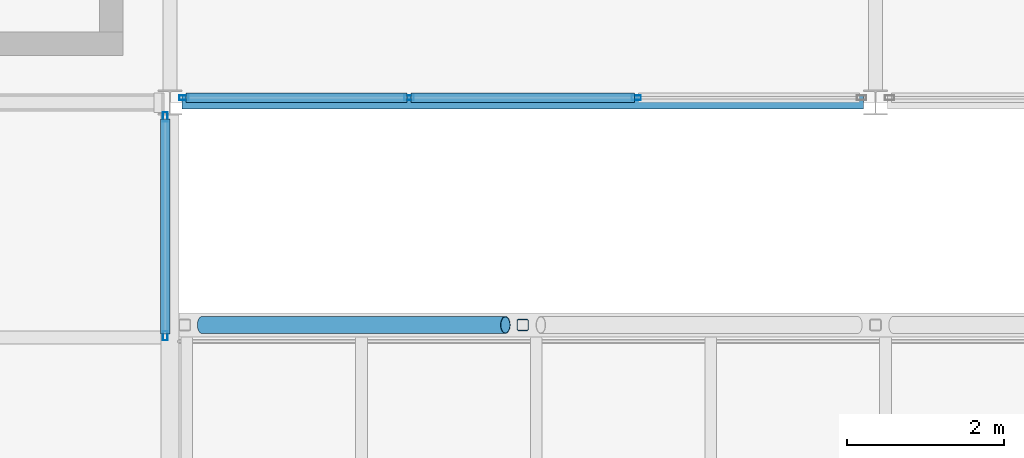
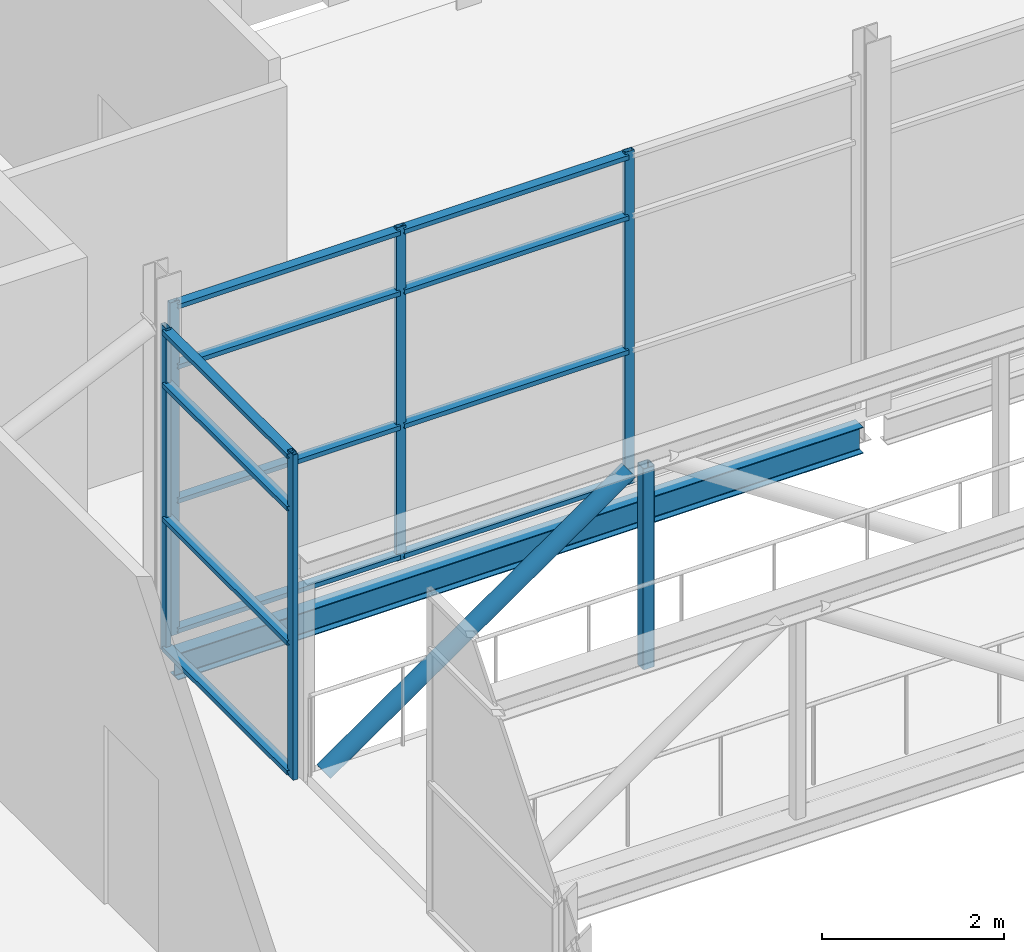
# One storey, part 24 of 94: 19 members, 1 beam, 2 elements without a shape of their own.
"""IFC4 building model written with IfcOpenShell, lengths in metres."""

from ifc_helpers import new_model, si_unit, direction, frame, origin, origin_2d, place, context, subcontext, project, spatial, hollow_rectangle, hollow_circle, i_section, extrude, material, layer, layer_set, material_profile, profile_set, type_object, element, aggregate, save


model = new_model("IFC4")

# Units and contexts
model_context = context("Model", 3, precision=1e-05, world=origin(), true_north=direction((0.0, 1.0)))
body_context = subcontext(model_context, "Body", "Model", "MODEL_VIEW")
ifc_project = project(units=[si_unit("LENGTHUNIT", "METRE"), si_unit("AREAUNIT", "SQUARE_METRE"), si_unit("VOLUMEUNIT", "CUBIC_METRE"), si_unit("PLANEANGLEUNIT", "RADIAN"), si_unit("MASSUNIT", "GRAM", prefix="KILO")], contexts=[model_context])

# Site, building, storey
site_placement = place(None, origin())
site = spatial("IfcSite", under=ifc_project, at=site_placement, CompositionType="ELEMENT")
building_placement = place(site_placement, origin())
building = spatial("IfcBuilding", under=site, at=building_placement, Name="Shorebreak Coast Museum", CompositionType="ELEMENT")
storey_placement = place(building_placement, frame((0.0, 0.0, 31.0)))
storey = spatial("IfcBuildingStorey", under=building, at=storey_placement, Name="L05", CompositionType="ELEMENT", Elevation=31.0)

# Members
ifc_material_1 = material(Name="Steel Grade C350L0", Category="steel")
ifc_material_profile_1 = material_profile(ifc_material_1, hollow_circle(Radius=0.109619140625, WallThickness=0.00830078125, at=origin_2d()), Name="219.1x8.2 CHS")
ifc_profile_set_1 = profile_set([ifc_material_profile_1], Name="Steel Grade C350L0")
member_type_1 = type_object("IfcMemberType", Name="Atrium bridge truss diagonal 219.1x8.2 CHS", PredefinedType="BRACE", material=ifc_profile_set_1)
member_1_placement = place(storey_placement, frame((63.410888671875, 78.16259765625, -0.175048828125), z_axis=(0.820764739415, 0.0, 0.571266349904), x_axis=(0.0, 1.0, 0.0)))
element("IfcMember", 1, at=member_1_placement, inside=storey, type_object=member_type_1, Name="Atrium bridge truss BR3 side B diagonal D01", PredefinedType="BRACE", context=body_context, shape_type="SweptSolid", body=[
    extrude(hollow_circle(Radius=0.109619140625, WallThickness=0.00830078125, at=origin_2d()), origin(), (0.0, 0.0, 1.0), 4.712646484375),
])
ifc_material_2 = material(Name="Steel Grade C450L0", Category="steel")
ifc_material_profile_2 = material_profile(ifc_material_2, hollow_rectangle(XDim=0.14990234375, YDim=0.14990234375, WallThickness=0.009033203125, InnerFilletRadius=0.013427734375, OuterFilletRadius=0.0224609375, at=origin_2d()), Name="150x150x9.0 SHS")
ifc_profile_set_2 = profile_set([ifc_material_profile_2], Name="Steel Grade C450L0")
member_type_2 = type_object("IfcMemberType", Name="Atrium bridge truss strut 150x150x9.0 SHS", PredefinedType="STRUT", material=ifc_profile_set_2)
member_2_placement = place(storey_placement, frame((67.5, 78.16259765625, -0.175048828125), z_axis=(0.0, 0.0, 1.0), x_axis=(1.0, 0.0, 0.0)))
element("IfcMember", 2, at=member_2_placement, inside=storey, type_object=member_type_2, Name="Atrium bridge truss BR3 side B strut V02", PredefinedType="STRUT", context=body_context, shape_type="SweptSolid", body=[
    extrude(hollow_rectangle(XDim=0.14990234375, YDim=0.14990234375, WallThickness=0.009033203125, InnerFilletRadius=0.013427734375, OuterFilletRadius=0.0224609375, at=origin_2d()), origin(), (0.0, 0.0, 1.0), 2.692138671875),
])

# Beam
ifc_material_3 = material(Name="Steel Grade 300", Category="steel")
ifc_material_profile_3 = material_profile(ifc_material_3, i_section(OverallWidth=0.1708984375, OverallDepth=0.355712890625, WebThickness=0.00732421875, FlangeThickness=0.011474609375, FilletRadius=0.011474609375, at=origin_2d()), Name="360UB50.7")
ifc_profile_set_3 = profile_set([ifc_material_profile_3], Name="Steel Grade 300")
beam_type = type_object("IfcBeamType", Name="Floor girder east-west 360UB50.7", PredefinedType="BEAM", material=ifc_profile_set_3)
beam_placement = place(storey_placement, frame((63.153564453125, 81.0, -0.352783203125), z_axis=(1.0, 0.0, 0.0), x_axis=(0.0, 1.0, 0.0)))
element("IfcBeam", 3, at=beam_placement, inside=storey, type_object=beam_type, Name="Floor girder east-west L05 8K", PredefinedType="BEAM", context=body_context, shape_type="SweptSolid", body=[
    extrude(i_section(OverallWidth=0.1708984375, OverallDepth=0.355712890625, WebThickness=0.00732421875, FlangeThickness=0.011474609375, FilletRadius=0.011474609375, at=origin_2d()), origin(), (0.0, 0.0, 1.0), 8.69287109375),
])

# Curtain wall, members
ifc_material_4 = material(Name="Aluminium", Category="aluminium")
ifc_layer = layer(ifc_material_4, 0.1201171875)
ifc_layer_set = layer_set([ifc_layer], Name="Aluminium")
curtain_wall_type = type_object("IfcCurtainWallType", Name="Atrium fire screen", PredefinedType="NOTDEFINED", material=ifc_layer_set)
curtain_wall_1_placement = place(storey_placement, origin())
curtain_wall_1 = element("IfcCurtainWall", 4, at=curtain_wall_1_placement, inside=storey, type_object=curtain_wall_type, Name="Atrium screen L05 N 68", PredefinedType="NOTDEFINED")
ifc_material_5 = material(Name="Aluminium", Category="aluminium")
ifc_material_profile_4 = material_profile(ifc_material_5, hollow_rectangle(XDim=0.06005859375, YDim=0.1201171875, WallThickness=0.00341796875, at=origin_2d()), Name="AL 120x60 RHS")
ifc_profile_set_4 = profile_set([ifc_material_profile_4], Name="Aluminium")
member_type_3 = type_object("IfcMemberType", Name="Screen mullion 50 x 120", PredefinedType="MULLION", material=ifc_profile_set_4)
member_3_placement = place(storey_placement, frame((63.178466796875, 81.06005859375, 0.0), z_axis=(0.0, 0.0, 1.0), x_axis=(0.0, 1.0, 0.0)))
member_3 = element("IfcMember", 5, at=member_3_placement, type_object=member_type_3, Name="CW6 mullion 1", PredefinedType="MULLION", context=body_context, shape_type="SweptSolid", body=[
    extrude(hollow_rectangle(XDim=0.06005859375, YDim=0.1201171875, WallThickness=0.00341796875, at=origin_2d()), origin(), (0.0, 0.0, 1.0), 4.469482421875),
])
member_4_placement = place(storey_placement, frame((66.05126953125, 81.06005859375, 0.0), z_axis=(0.0, 0.0, 1.0), x_axis=(0.0, 1.0, 0.0)))
member_4 = element("IfcMember", 6, at=member_4_placement, type_object=member_type_3, Name="CW6 mullion 2", PredefinedType="MULLION", context=body_context, shape_type="SweptSolid", body=[
    extrude(hollow_rectangle(XDim=0.06005859375, YDim=0.1201171875, WallThickness=0.00341796875, at=origin_2d()), origin(), (0.0, 0.0, 1.0), 4.469482421875),
])
member_5_placement = place(storey_placement, frame((68.94873046875, 81.06005859375, 0.0), z_axis=(0.0, 0.0, 1.0), x_axis=(0.0, 1.0, 0.0)))
member_5 = element("IfcMember", 7, at=member_5_placement, type_object=member_type_3, Name="CW6 mullion 3", PredefinedType="MULLION", context=body_context, shape_type="SweptSolid", body=[
    extrude(hollow_rectangle(XDim=0.06005859375, YDim=0.1201171875, WallThickness=0.00341796875, at=origin_2d()), origin(), (0.0, 0.0, 1.0), 4.469482421875),
])

curtain_wall_2_placement = place(storey_placement, origin())
curtain_wall_2 = element("IfcCurtainWall", 8, at=curtain_wall_2_placement, inside=storey, type_object=curtain_wall_type, Name="Atrium screen L05 W 75", PredefinedType="NOTDEFINED")
member_6_placement = place(storey_placement, frame((62.93994140625, 78.02490234375, 0.0), z_axis=(0.0, 0.0, 1.0), x_axis=(-1.0, 0.0, 0.0)))
member_6 = element("IfcMember", 9, at=member_6_placement, type_object=member_type_3, Name="CW4 mullion 1", PredefinedType="MULLION", context=body_context, shape_type="SweptSolid", body=[
    extrude(hollow_rectangle(XDim=0.06005859375, YDim=0.1201171875, WallThickness=0.00341796875, at=origin_2d()), origin(), (0.0, 0.0, 1.0), 4.364501953125),
])
member_7_placement = place(storey_placement, frame((62.93994140625, 80.817626953125, 0.0), z_axis=(0.0, 0.0, 1.0), x_axis=(-1.0, 0.0, 0.0)))
member_7 = element("IfcMember", 10, at=member_7_placement, type_object=member_type_3, Name="CW4 mullion 2", PredefinedType="MULLION", context=body_context, shape_type="SweptSolid", body=[
    extrude(hollow_rectangle(XDim=0.06005859375, YDim=0.1201171875, WallThickness=0.00341796875, at=origin_2d()), origin(), (0.0, 0.0, 1.0), 4.364501953125),
])

# Member
ifc_material_6 = material(Name="Aluminium", Category="aluminium")
ifc_material_profile_5 = material_profile(ifc_material_6, hollow_rectangle(XDim=0.1201171875, YDim=0.06005859375, WallThickness=0.00341796875, at=origin_2d()), Name="AL 60x120 RHS")
ifc_profile_set_5 = profile_set([ifc_material_profile_5], Name="Aluminium")
member_type_4 = type_object("IfcMemberType", Name="Screen transom 120 x 50", PredefinedType="USERDEFINED", material=ifc_profile_set_5)
member_8_placement = place(storey_placement, frame((63.20361328125, 81.06005859375, 0.06005859375), z_axis=(1.0, 0.0, 0.0), x_axis=(0.0, 1.0, 0.0)))
member_8 = element("IfcMember", 11, at=member_8_placement, type_object=member_type_4, Name="CW6 transom 1.1", ObjectType="TRANSOM", PredefinedType="USERDEFINED", context=body_context, shape_type="SweptSolid", body=[
    extrude(hollow_rectangle(XDim=0.1201171875, YDim=0.06005859375, WallThickness=0.00341796875, at=origin_2d()), origin(), (0.0, 0.0, 1.0), 2.822509765625),
])

member_9_placement = place(storey_placement, frame((63.20361328125, 81.06005859375, 1.800048828125), z_axis=(1.0, 0.0, 0.0), x_axis=(0.0, 1.0, 0.0)))
member_9 = element("IfcMember", 12, at=member_9_placement, type_object=member_type_4, Name="CW6 transom 1.2", ObjectType="TRANSOM", PredefinedType="USERDEFINED", context=body_context, shape_type="SweptSolid", body=[
    extrude(hollow_rectangle(XDim=0.1201171875, YDim=0.06005859375, WallThickness=0.00341796875, at=origin_2d()), origin(), (0.0, 0.0, 1.0), 2.822509765625),
])

member_10_placement = place(storey_placement, frame((63.20361328125, 81.06005859375, 3.60009765625), z_axis=(1.0, 0.0, 0.0), x_axis=(0.0, 1.0, 0.0)))
member_10 = element("IfcMember", 13, at=member_10_placement, type_object=member_type_4, Name="CW6 transom 1.3", ObjectType="TRANSOM", PredefinedType="USERDEFINED", context=body_context, shape_type="SweptSolid", body=[
    extrude(hollow_rectangle(XDim=0.1201171875, YDim=0.06005859375, WallThickness=0.00341796875, at=origin_2d()), origin(), (0.0, 0.0, 1.0), 2.822509765625),
])

member_11_placement = place(storey_placement, frame((63.20361328125, 81.06005859375, 4.409423828125), z_axis=(1.0, 0.0, 0.0), x_axis=(0.0, 1.0, 0.0)))
member_11 = element("IfcMember", 14, at=member_11_placement, type_object=member_type_4, Name="CW6 transom 1.4", ObjectType="TRANSOM", PredefinedType="USERDEFINED", context=body_context, shape_type="SweptSolid", body=[
    extrude(hollow_rectangle(XDim=0.1201171875, YDim=0.06005859375, WallThickness=0.00341796875, at=origin_2d()), origin(), (0.0, 0.0, 1.0), 2.822509765625),
])

member_12_placement = place(storey_placement, frame((66.076171875, 81.06005859375, 0.06005859375), z_axis=(1.0, 0.0, 0.0), x_axis=(0.0, 1.0, 0.0)))
member_12 = element("IfcMember", 15, at=member_12_placement, type_object=member_type_4, Name="CW6 transom 2.1", ObjectType="TRANSOM", PredefinedType="USERDEFINED", context=body_context, shape_type="SweptSolid", body=[
    extrude(hollow_rectangle(XDim=0.1201171875, YDim=0.06005859375, WallThickness=0.00341796875, at=origin_2d()), origin(), (0.0, 0.0, 1.0), 2.84765625),
])

member_13_placement = place(storey_placement, frame((66.076171875, 81.06005859375, 1.800048828125), z_axis=(1.0, 0.0, 0.0), x_axis=(0.0, 1.0, 0.0)))
member_13 = element("IfcMember", 16, at=member_13_placement, type_object=member_type_4, Name="CW6 transom 2.2", ObjectType="TRANSOM", PredefinedType="USERDEFINED", context=body_context, shape_type="SweptSolid", body=[
    extrude(hollow_rectangle(XDim=0.1201171875, YDim=0.06005859375, WallThickness=0.00341796875, at=origin_2d()), origin(), (0.0, 0.0, 1.0), 2.84765625),
])

member_14_placement = place(storey_placement, frame((66.076171875, 81.06005859375, 3.60009765625), z_axis=(1.0, 0.0, 0.0), x_axis=(0.0, 1.0, 0.0)))
member_14 = element("IfcMember", 17, at=member_14_placement, type_object=member_type_4, Name="CW6 transom 2.3", ObjectType="TRANSOM", PredefinedType="USERDEFINED", context=body_context, shape_type="SweptSolid", body=[
    extrude(hollow_rectangle(XDim=0.1201171875, YDim=0.06005859375, WallThickness=0.00341796875, at=origin_2d()), origin(), (0.0, 0.0, 1.0), 2.84765625),
])

member_15_placement = place(storey_placement, frame((66.076171875, 81.06005859375, 4.409423828125), z_axis=(1.0, 0.0, 0.0), x_axis=(0.0, 1.0, 0.0)))
member_15 = element("IfcMember", 18, at=member_15_placement, type_object=member_type_4, Name="CW6 transom 2.4", ObjectType="TRANSOM", PredefinedType="USERDEFINED", context=body_context, shape_type="SweptSolid", body=[
    extrude(hollow_rectangle(XDim=0.1201171875, YDim=0.06005859375, WallThickness=0.00341796875, at=origin_2d()), origin(), (0.0, 0.0, 1.0), 2.84765625),
])

aggregate(curtain_wall_1, [member_3, member_4, member_5, member_8, member_9, member_10, member_11, member_12, member_13, member_14, member_15])

member_16_placement = place(storey_placement, frame((62.93994140625, 78.050048828125, 0.06005859375), z_axis=(0.0, 1.0, 0.0), x_axis=(-1.0, 0.0, 0.0)))
member_16 = element("IfcMember", 19, at=member_16_placement, type_object=member_type_4, Name="CW4 transom 1.1", ObjectType="TRANSOM", PredefinedType="USERDEFINED", context=body_context, shape_type="SweptSolid", body=[
    extrude(hollow_rectangle(XDim=0.1201171875, YDim=0.06005859375, WallThickness=0.00341796875, at=origin_2d()), origin(), (0.0, 0.0, 1.0), 2.74267578125),
])

member_17_placement = place(storey_placement, frame((62.93994140625, 78.050048828125, 1.800048828125), z_axis=(0.0, 1.0, 0.0), x_axis=(-1.0, 0.0, 0.0)))
member_17 = element("IfcMember", 20, at=member_17_placement, type_object=member_type_4, Name="CW4 transom 1.2", ObjectType="TRANSOM", PredefinedType="USERDEFINED", context=body_context, shape_type="SweptSolid", body=[
    extrude(hollow_rectangle(XDim=0.1201171875, YDim=0.06005859375, WallThickness=0.00341796875, at=origin_2d()), origin(), (0.0, 0.0, 1.0), 2.74267578125),
])

member_18_placement = place(storey_placement, frame((62.93994140625, 78.050048828125, 3.60009765625), z_axis=(0.0, 1.0, 0.0), x_axis=(-1.0, 0.0, 0.0)))
member_18 = element("IfcMember", 21, at=member_18_placement, type_object=member_type_4, Name="CW4 transom 1.3", ObjectType="TRANSOM", PredefinedType="USERDEFINED", context=body_context, shape_type="SweptSolid", body=[
    extrude(hollow_rectangle(XDim=0.1201171875, YDim=0.06005859375, WallThickness=0.00341796875, at=origin_2d()), origin(), (0.0, 0.0, 1.0), 2.74267578125),
])

member_19_placement = place(storey_placement, frame((62.93994140625, 78.050048828125, 4.3046875), z_axis=(0.0, 1.0, 0.0), x_axis=(-1.0, 0.0, 0.0)))
member_19 = element("IfcMember", 22, at=member_19_placement, type_object=member_type_4, Name="CW4 transom 1.4", ObjectType="TRANSOM", PredefinedType="USERDEFINED", context=body_context, shape_type="SweptSolid", body=[
    extrude(hollow_rectangle(XDim=0.1201171875, YDim=0.06005859375, WallThickness=0.00341796875, at=origin_2d()), origin(), (0.0, 0.0, 1.0), 2.74267578125),
])

aggregate(curtain_wall_2, [member_6, member_7, member_16, member_17, member_18, member_19])

save(model, "model.ifc")
